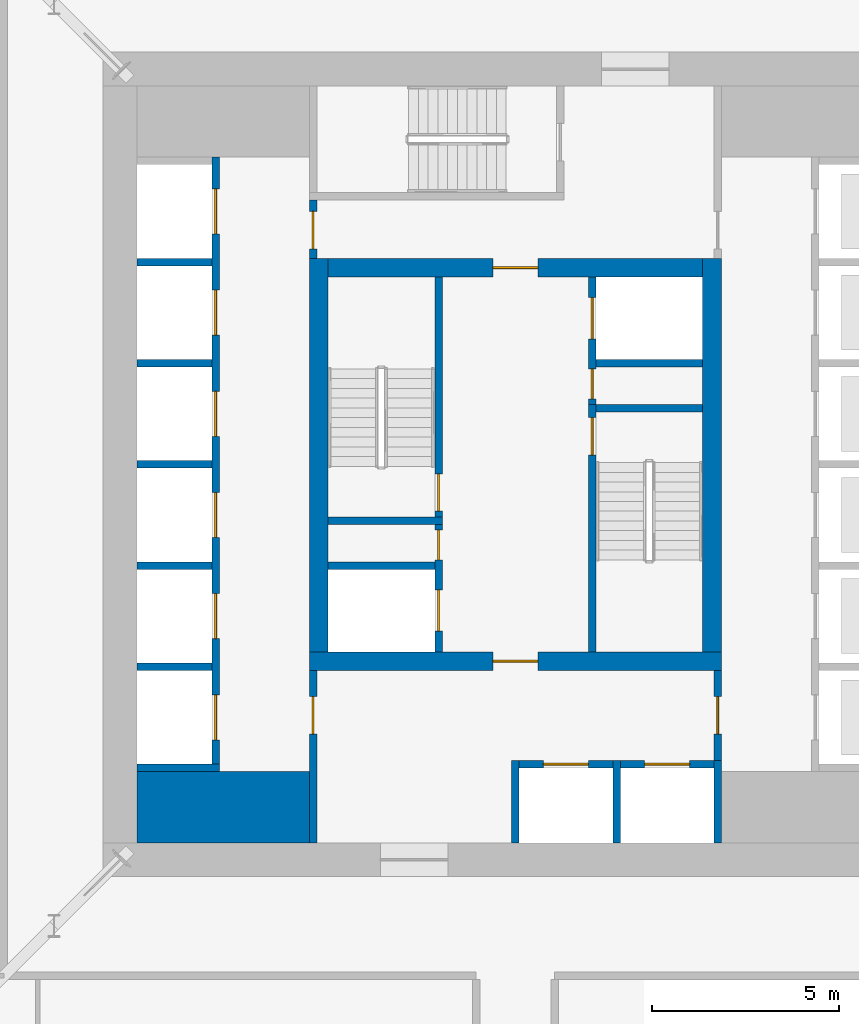
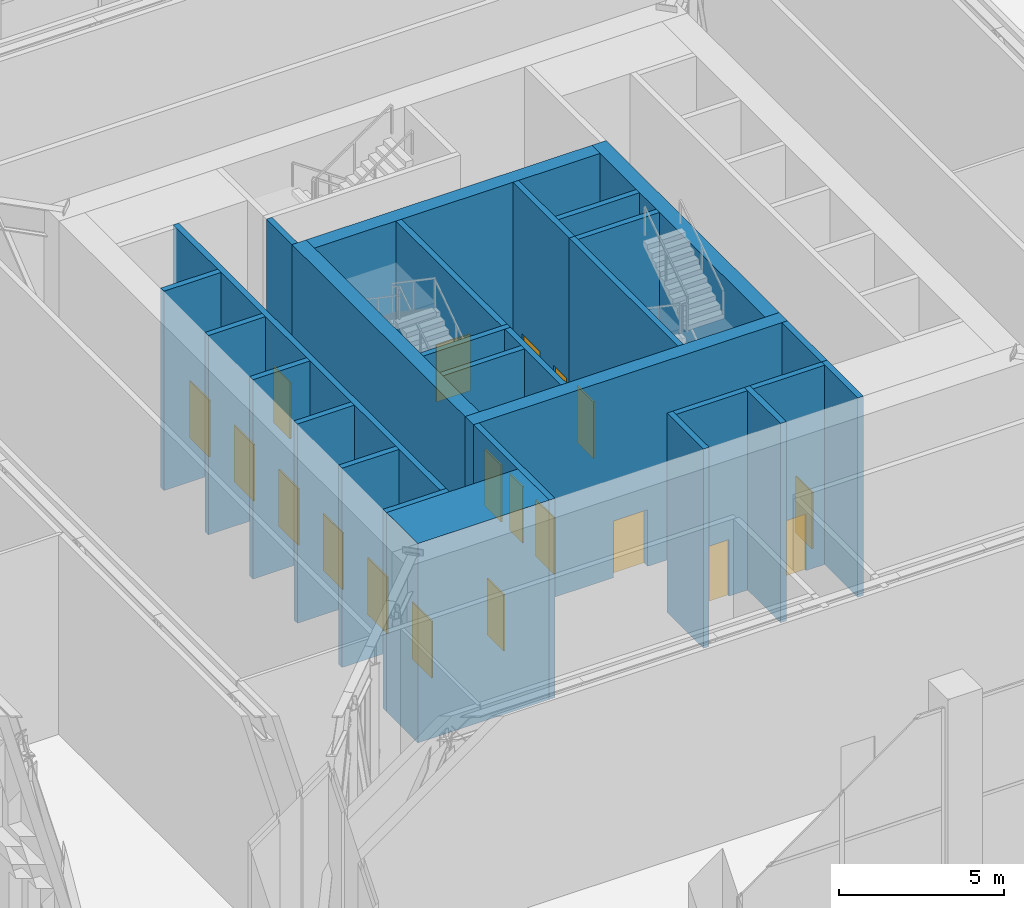
# One storey, part 16 of 21: 28 walls, 19 doors, 19 openings.
"""IFC4 building model written with IfcOpenShell, lengths in metres."""

from ifc_helpers import new_model, si_unit, direction, frame, frame_2d, origin, place, context, subcontext, project, spatial, rectangle, extrude, material, layer, layer_set, type_object, element, fill, save


model = new_model("IFC4")

# Units and contexts
model_context = context("Model", 3, precision=1e-05, world=origin(), true_north=direction((0.0, 1.0)))
body_context = subcontext(model_context, "Body", "Model", "MODEL_VIEW")
ifc_project = project(units=[si_unit("LENGTHUNIT", "METRE"), si_unit("AREAUNIT", "SQUARE_METRE"), si_unit("VOLUMEUNIT", "CUBIC_METRE"), si_unit("PLANEANGLEUNIT", "RADIAN"), si_unit("MASSUNIT", "GRAM", prefix="KILO")], contexts=[model_context])

# Site, building, storey
site_placement = place(None, origin())
site = spatial("IfcSite", under=ifc_project, at=site_placement, CompositionType="ELEMENT")
building_placement = place(site_placement, origin())
building = spatial("IfcBuilding", under=site, at=building_placement, Name="Khepri Terraces", CompositionType="ELEMENT")
storey_placement = place(building_placement, frame((0.0, 0.0, 126.0)))
storey = spatial("IfcBuildingStorey", under=building, at=storey_placement, Name="L30", CompositionType="ELEMENT", Elevation=126.0)

# Wall
ifc_material_1 = material(Name="Concrete C70/85", Category="concrete")
ifc_layer_1 = layer(ifc_material_1, 1.89990234375, Name="Concrete C70/85", Category="concrete")
ifc_layer_set_1 = layer_set([ifc_layer_1], Name="Concrete C70/85")
wall_type_1 = type_object("IfcWallType", Name="Core wall 1900 C70/85", PredefinedType="SHEAR", material=ifc_layer_set_1)
wall_1_placement = place(storey_placement, frame((-10.10009765625, -9.14990234375, 0.0), z_axis=(0.0, 0.0, 1.0), x_axis=(1.0, 0.0, 0.0)))
element("IfcWall", 1, at=wall_1_placement, inside=storey, type_object=wall_type_1, Name="Core wall PR01 L30", PredefinedType="SHEAR", context=body_context, shape_type="SweptSolid", body=[
    extrude(rectangle(XDim=4.60009765625, YDim=1.89990234375, at=frame_2d((2.300048828125, 0.0))), origin(), (0.0, 0.0, 1.0), 7.3798828125),
])

# Wall, opening, door
ifc_layer_2 = layer(ifc_material_1, 0.199951171875, Name="Concrete C70/85", Category="concrete")
ifc_layer_set_2 = layer_set([ifc_layer_2], Name="Concrete C70/85")
wall_type_2 = type_object("IfcWallType", Name="Core wall 200 C70/85", PredefinedType="SHEAR", material=ifc_layer_set_2)
wall_2_placement = place(storey_placement, frame((2.050048828125, -5.0, 0.0), z_axis=(0.0, 0.0, 1.0), x_axis=(0.0, 1.0, 0.0)))
wall_2 = element("IfcWall", 2, at=wall_2_placement, inside=storey, type_object=wall_type_2, Name="Core wall ST01 L30", PredefinedType="SHEAR", context=body_context, shape_type="SweptSolid", body=[
    extrude(rectangle(XDim=6.60009765625, YDim=0.199951171875, at=frame_2d((3.300048828125, 0.0))), origin(), (0.0, 0.0, 1.0), 7.3798828125),
])
opening_1_placement = place(wall_2_placement, frame((5.25, 0.0, 0.0)))
opening_1 = element("IfcOpeningElement", 3, at=opening_1_placement, cuts=wall_2, Name="Opening L30-C18", PredefinedType="OPENING", context=body_context, shape_type="SweptSolid", body=[
    extrude(rectangle(XDim=1.0, YDim=2.10009765625, at=frame_2d((0.5, 1.050048828125))), frame((0.0, 0.10986328125, 0.0), z_axis=(0.0, -1.0, 0.0), x_axis=(1.0, 0.0, 0.0)), (0.0, 0.0, 1.0), 0.219970703125),
])
ifc_material_2 = material(Name="Painted steel", Category="steel")
door_type_1 = type_object("IfcDoorType", Name="DR-CORE-STAIR-1000", OperationType="NOTDEFINED", PredefinedType="DOOR", material=ifc_material_2)
door_1_placement = place(opening_1_placement, frame((1.0, 0.0, 0.0), z_axis=(0.0, 0.0, 1.0), x_axis=(-1.0, 0.0, 0.0)))
door_1 = element("IfcDoor", 4, at=door_1_placement, inside=storey, type_object=door_type_1, Name="Stair door L30-C18", OperationType="SINGLE_SWING_LEFT", OverallHeight=2.10009765625, OverallWidth=1.0, PredefinedType="DOOR", context=body_context, shape_type="SweptSolid", body=[
    extrude(rectangle(XDim=1.0, YDim=2.10009765625, at=frame_2d((0.5, 1.050048828125))), frame((0.0, 0.02490234375, 0.0), z_axis=(0.0, -1.0, 0.0), x_axis=(1.0, 0.0, 0.0)), (0.0, 0.0, 1.0), 0.050048828125),
])
fill(opening_1, door_1)

# Wall
wall_3_placement = place(storey_placement, frame((-5.0, -1.5, 0.0), z_axis=(0.0, 0.0, 1.0), x_axis=(1.0, 0.0, 0.0)))
element("IfcWall", 5, at=wall_3_placement, inside=storey, type_object=wall_type_2, Name="Core wall ST02 L30", PredefinedType="SHEAR", context=body_context, shape_type="SweptSolid", body=[
    extrude(rectangle(XDim=3.050048828125, YDim=0.199951171875, at=frame_2d((1.52490234375, 0.0))), origin(), (0.0, 0.0, 1.0), 7.3798828125),
])

# Wall, opening, door
wall_4_placement = place(storey_placement, frame((-2.050048828125, -1.39990234375, 0.0), z_axis=(0.0, 0.0, 1.0), x_axis=(0.0, 1.0, 0.0)))
wall_4 = element("IfcWall", 6, at=wall_4_placement, inside=storey, type_object=wall_type_2, Name="Core wall ST03 L30", PredefinedType="SHEAR", context=body_context, shape_type="SweptSolid", body=[
    extrude(rectangle(XDim=6.39990234375, YDim=0.199951171875, at=frame_2d((3.199951171875, 0.0))), origin(), (0.0, 0.0, 1.0), 7.3798828125),
])
opening_2_placement = place(wall_4_placement, frame((0.14990234375, 0.0, 0.0)))
opening_2 = element("IfcOpeningElement", 7, at=opening_2_placement, cuts=wall_4, Name="Opening L30-C17", PredefinedType="OPENING", context=body_context, shape_type="SweptSolid", body=[
    extrude(rectangle(XDim=1.0, YDim=2.10009765625, at=frame_2d((0.5, 1.050048828125))), frame((0.0, 0.10986328125, 0.0), z_axis=(0.0, -1.0, 0.0), x_axis=(1.0, 0.0, 0.0)), (0.0, 0.0, 1.0), 0.219970703125),
])
door_2_placement = place(opening_2_placement, origin())
door_2 = element("IfcDoor", 8, at=door_2_placement, inside=storey, type_object=door_type_1, Name="Stair door L30-C17", OperationType="SINGLE_SWING_LEFT", OverallHeight=2.10009765625, OverallWidth=1.0, PredefinedType="DOOR", context=body_context, shape_type="SweptSolid", body=[
    extrude(rectangle(XDim=1.0, YDim=2.10009765625, at=frame_2d((0.5, 1.050048828125))), frame((0.0, 0.02490234375, 0.0), z_axis=(0.0, -1.0, 0.0), x_axis=(1.0, 0.0, 0.0)), (0.0, 0.0, 1.0), 0.050048828125),
])
fill(opening_2, door_2)

# Walls
wall_5_placement = place(storey_placement, frame((2.14990234375, 1.5, 0.0), z_axis=(0.0, 0.0, 1.0), x_axis=(1.0, 0.0, 0.0)))
element("IfcWall", 9, at=wall_5_placement, inside=storey, type_object=wall_type_2, Name="Core wall ST04 L30", PredefinedType="SHEAR", context=body_context, shape_type="SweptSolid", body=[
    extrude(rectangle(XDim=2.85009765625, YDim=0.199951171875, at=frame_2d((1.425048828125, 0.0))), origin(), (0.0, 0.0, 1.0), 7.3798828125),
])
for number, where, z_axis, x_axis, name in (
    (10, (0.0, -10.10009765625, 0.0), (0.0, 0.0, 1.0), (0.0, 1.0, 0.0), "Core wall SH01 L30"),
    (11, (2.699951171875, -10.10009765625, 0.0), (0.0, 0.0, 1.0), (0.0, 1.0, 0.0), "Core wall SH02 L30"),
    (12, (5.39990234375, -10.10009765625, 0.0), (0.0, 0.0, 1.0), (0.0, 1.0, 0.0), "Core wall SH03 L30"),
    (13, (-10.10009765625, -8.10009765625, 0.0), (0.0, 0.0, 1.0), (1.0, 0.0, 0.0), "Core wall SH04 L30"),
):
    element("IfcWall", number, at=place(storey_placement, frame(where, z_axis=z_axis, x_axis=x_axis)), inside=storey, type_object=wall_type_2, Name=name, PredefinedType="SHEAR", context=body_context, shape_type="SweptSolid", body=[
        extrude(rectangle(XDim=2.2001953125, YDim=0.199951171875, at=frame_2d((1.10009765625, 0.0))), origin(), (0.0, 0.0, 1.0), 7.3798828125),
    ])

# Wall, opening, door
wall_6_placement = place(storey_placement, frame((0.10009765625, -8.0, 0.0), z_axis=(0.0, 0.0, 1.0), x_axis=(1.0, 0.0, 0.0)))
wall_6 = element("IfcWall", 14, at=wall_6_placement, inside=storey, type_object=wall_type_2, Name="Core wall SH07 L30", PredefinedType="SHEAR", context=body_context, shape_type="SweptSolid", body=[
    extrude(rectangle(XDim=2.5, YDim=0.199951171875, at=frame_2d((1.25, 0.0))), origin(), (0.0, 0.0, 1.0), 7.3798828125),
])
opening_3_placement = place(wall_6_placement, frame((0.64990234375, 0.0, 0.0)))
opening_3 = element("IfcOpeningElement", 15, at=opening_3_placement, cuts=wall_6, Name="Opening L30-C13", PredefinedType="OPENING", context=body_context, shape_type="SweptSolid", body=[
    extrude(rectangle(XDim=1.199951171875, YDim=2.10009765625, at=frame_2d((0.60009765625, 1.050048828125))), frame((0.0, 0.10986328125, 0.0), z_axis=(0.0, -1.0, 0.0), x_axis=(1.0, 0.0, 0.0)), (0.0, 0.0, 1.0), 0.219970703125),
])
ifc_material_3 = material(Name="Stainless steel 304", Category="steel")
door_type_2 = type_object("IfcDoorType", Name="DR-CORE-LANDING-1200", OperationType="NOTDEFINED", PredefinedType="DOOR", material=ifc_material_3)
door_3_placement = place(opening_3_placement, origin())
door_3 = element("IfcDoor", 16, at=door_3_placement, inside=storey, type_object=door_type_2, Name="Lift landing door L30-C13", OperationType="SLIDING_TO_LEFT", OverallHeight=2.10009765625, OverallWidth=1.199951171875, PredefinedType="DOOR", context=body_context, shape_type="SweptSolid", body=[
    extrude(rectangle(XDim=1.199951171875, YDim=2.10009765625, at=frame_2d((0.60009765625, 1.050048828125))), frame((0.0, 0.02490234375, 0.0), z_axis=(0.0, -1.0, 0.0), x_axis=(1.0, 0.0, 0.0)), (0.0, 0.0, 1.0), 0.050048828125),
])
fill(opening_3, door_3)

wall_7_placement = place(storey_placement, frame((2.800048828125, -8.0, 0.0), z_axis=(0.0, 0.0, 1.0), x_axis=(1.0, 0.0, 0.0)))
wall_7 = element("IfcWall", 17, at=wall_7_placement, inside=storey, type_object=wall_type_2, Name="Core wall SH08 L30", PredefinedType="SHEAR", context=body_context, shape_type="SweptSolid", body=[
    extrude(rectangle(XDim=2.5, YDim=0.199951171875, at=frame_2d((1.25, 0.0))), origin(), (0.0, 0.0, 1.0), 7.3798828125),
])
opening_4_placement = place(wall_7_placement, frame((0.64990234375, 0.0, 0.0)))
opening_4 = element("IfcOpeningElement", 18, at=opening_4_placement, cuts=wall_7, Name="Opening L30-C14", PredefinedType="OPENING", context=body_context, shape_type="SweptSolid", body=[
    extrude(rectangle(XDim=1.199951171875, YDim=2.10009765625, at=frame_2d((0.60009765625, 1.050048828125))), frame((0.0, 0.10986328125, 0.0), z_axis=(0.0, -1.0, 0.0), x_axis=(1.0, 0.0, 0.0)), (0.0, 0.0, 1.0), 0.219970703125),
])
door_4_placement = place(opening_4_placement, origin())
door_4 = element("IfcDoor", 19, at=door_4_placement, inside=storey, type_object=door_type_2, Name="Lift landing door L30-C14", OperationType="SLIDING_TO_LEFT", OverallHeight=2.10009765625, OverallWidth=1.199951171875, PredefinedType="DOOR", context=body_context, shape_type="SweptSolid", body=[
    extrude(rectangle(XDim=1.199951171875, YDim=2.10009765625, at=frame_2d((0.60009765625, 1.050048828125))), frame((0.0, 0.02490234375, 0.0), z_axis=(0.0, -1.0, 0.0), x_axis=(1.0, 0.0, 0.0)), (0.0, 0.0, 1.0), 0.050048828125),
])
fill(opening_4, door_4)

# Wall, openings, doors
wall_8_placement = place(storey_placement, frame((-8.0, -8.0, 0.0), z_axis=(0.0, 0.0, 1.0), x_axis=(0.0, 1.0, 0.0)))
wall_8 = element("IfcWall", 20, at=wall_8_placement, inside=storey, type_object=wall_type_2, Name="Core wall SH09 L30", PredefinedType="SHEAR", context=body_context, shape_type="SweptSolid", body=[
    extrude(rectangle(XDim=16.199951171875, YDim=0.199951171875, at=frame_2d((8.10009765625, 0.0))), origin(), (0.0, 0.0, 1.0), 7.3798828125),
])
opening_5_placement = place(wall_8_placement, frame((0.64990234375, 0.0, 0.0)))
opening_5 = element("IfcOpeningElement", 21, at=opening_5_placement, cuts=wall_8, Name="Opening L30-C01", PredefinedType="OPENING", context=body_context, shape_type="SweptSolid", body=[
    extrude(rectangle(XDim=1.199951171875, YDim=2.10009765625, at=frame_2d((0.60009765625, 1.050048828125))), frame((0.0, 0.10986328125, 0.0), z_axis=(0.0, -1.0, 0.0), x_axis=(1.0, 0.0, 0.0)), (0.0, 0.0, 1.0), 0.219970703125),
])
opening_6_placement = place(wall_8_placement, frame((3.35009765625, 0.0, 0.0)))
opening_6 = element("IfcOpeningElement", 22, at=opening_6_placement, cuts=wall_8, Name="Opening L30-C03", PredefinedType="OPENING", context=body_context, shape_type="SweptSolid", body=[
    extrude(rectangle(XDim=1.199951171875, YDim=2.10009765625, at=frame_2d((0.60009765625, 1.050048828125))), frame((0.0, 0.10986328125, 0.0), z_axis=(0.0, -1.0, 0.0), x_axis=(1.0, 0.0, 0.0)), (0.0, 0.0, 1.0), 0.219970703125),
])
opening_7_placement = place(wall_8_placement, frame((6.050048828125, 0.0, 0.0)))
opening_7 = element("IfcOpeningElement", 23, at=opening_7_placement, cuts=wall_8, Name="Opening L30-C05", PredefinedType="OPENING", context=body_context, shape_type="SweptSolid", body=[
    extrude(rectangle(XDim=1.199951171875, YDim=2.10009765625, at=frame_2d((0.60009765625, 1.050048828125))), frame((0.0, 0.10986328125, 0.0), z_axis=(0.0, -1.0, 0.0), x_axis=(1.0, 0.0, 0.0)), (0.0, 0.0, 1.0), 0.219970703125),
])
opening_8_placement = place(wall_8_placement, frame((8.75, 0.0, 0.0)))
opening_8 = element("IfcOpeningElement", 24, at=opening_8_placement, cuts=wall_8, Name="Opening L30-C07", PredefinedType="OPENING", context=body_context, shape_type="SweptSolid", body=[
    extrude(rectangle(XDim=1.199951171875, YDim=2.10009765625, at=frame_2d((0.60009765625, 1.050048828125))), frame((0.0, 0.10986328125, 0.0), z_axis=(0.0, -1.0, 0.0), x_axis=(1.0, 0.0, 0.0)), (0.0, 0.0, 1.0), 0.219970703125),
])
opening_9_placement = place(wall_8_placement, frame((11.449951171875, 0.0, 0.0)))
opening_9 = element("IfcOpeningElement", 25, at=opening_9_placement, cuts=wall_8, Name="Opening L30-C09", PredefinedType="OPENING", context=body_context, shape_type="SweptSolid", body=[
    extrude(rectangle(XDim=1.199951171875, YDim=2.10009765625, at=frame_2d((0.60009765625, 1.050048828125))), frame((0.0, 0.10986328125, 0.0), z_axis=(0.0, -1.0, 0.0), x_axis=(1.0, 0.0, 0.0)), (0.0, 0.0, 1.0), 0.219970703125),
])
opening_10_placement = place(wall_8_placement, frame((14.14990234375, 0.0, 0.0)))
opening_10 = element("IfcOpeningElement", 26, at=opening_10_placement, cuts=wall_8, Name="Opening L30-C11", PredefinedType="OPENING", context=body_context, shape_type="SweptSolid", body=[
    extrude(rectangle(XDim=1.199951171875, YDim=2.10009765625, at=frame_2d((0.60009765625, 1.050048828125))), frame((0.0, 0.10986328125, 0.0), z_axis=(0.0, -1.0, 0.0), x_axis=(1.0, 0.0, 0.0)), (0.0, 0.0, 1.0), 0.219970703125),
])
door_5_placement = place(opening_5_placement, origin())
door_5 = element("IfcDoor", 27, at=door_5_placement, inside=storey, type_object=door_type_2, Name="Lift landing door L30-C01", OperationType="SLIDING_TO_LEFT", OverallHeight=2.10009765625, OverallWidth=1.199951171875, PredefinedType="DOOR", context=body_context, shape_type="SweptSolid", body=[
    extrude(rectangle(XDim=1.199951171875, YDim=2.10009765625, at=frame_2d((0.60009765625, 1.050048828125))), frame((0.0, 0.02490234375, 0.0), z_axis=(0.0, -1.0, 0.0), x_axis=(1.0, 0.0, 0.0)), (0.0, 0.0, 1.0), 0.050048828125),
])
fill(opening_5, door_5)
door_6_placement = place(opening_6_placement, origin())
door_6 = element("IfcDoor", 28, at=door_6_placement, inside=storey, type_object=door_type_2, Name="Lift landing door L30-C03", OperationType="SLIDING_TO_LEFT", OverallHeight=2.10009765625, OverallWidth=1.199951171875, PredefinedType="DOOR", context=body_context, shape_type="SweptSolid", body=[
    extrude(rectangle(XDim=1.199951171875, YDim=2.10009765625, at=frame_2d((0.60009765625, 1.050048828125))), frame((0.0, 0.02490234375, 0.0), z_axis=(0.0, -1.0, 0.0), x_axis=(1.0, 0.0, 0.0)), (0.0, 0.0, 1.0), 0.050048828125),
])
fill(opening_6, door_6)
door_7_placement = place(opening_7_placement, origin())
door_7 = element("IfcDoor", 29, at=door_7_placement, inside=storey, type_object=door_type_2, Name="Lift landing door L30-C05", OperationType="SLIDING_TO_LEFT", OverallHeight=2.10009765625, OverallWidth=1.199951171875, PredefinedType="DOOR", context=body_context, shape_type="SweptSolid", body=[
    extrude(rectangle(XDim=1.199951171875, YDim=2.10009765625, at=frame_2d((0.60009765625, 1.050048828125))), frame((0.0, 0.02490234375, 0.0), z_axis=(0.0, -1.0, 0.0), x_axis=(1.0, 0.0, 0.0)), (0.0, 0.0, 1.0), 0.050048828125),
])
fill(opening_7, door_7)
door_8_placement = place(opening_8_placement, origin())
door_8 = element("IfcDoor", 30, at=door_8_placement, inside=storey, type_object=door_type_2, Name="Lift landing door L30-C07", OperationType="SLIDING_TO_LEFT", OverallHeight=2.10009765625, OverallWidth=1.199951171875, PredefinedType="DOOR", context=body_context, shape_type="SweptSolid", body=[
    extrude(rectangle(XDim=1.199951171875, YDim=2.10009765625, at=frame_2d((0.60009765625, 1.050048828125))), frame((0.0, 0.02490234375, 0.0), z_axis=(0.0, -1.0, 0.0), x_axis=(1.0, 0.0, 0.0)), (0.0, 0.0, 1.0), 0.050048828125),
])
fill(opening_8, door_8)
door_9_placement = place(opening_9_placement, origin())
door_9 = element("IfcDoor", 31, at=door_9_placement, inside=storey, type_object=door_type_2, Name="Lift landing door L30-C09", OperationType="SLIDING_TO_LEFT", OverallHeight=2.10009765625, OverallWidth=1.199951171875, PredefinedType="DOOR", context=body_context, shape_type="SweptSolid", body=[
    extrude(rectangle(XDim=1.199951171875, YDim=2.10009765625, at=frame_2d((0.60009765625, 1.050048828125))), frame((0.0, 0.02490234375, 0.0), z_axis=(0.0, -1.0, 0.0), x_axis=(1.0, 0.0, 0.0)), (0.0, 0.0, 1.0), 0.050048828125),
])
fill(opening_9, door_9)
door_10_placement = place(opening_10_placement, origin())
door_10 = element("IfcDoor", 32, at=door_10_placement, inside=storey, type_object=door_type_2, Name="Lift landing door L30-C11", OperationType="SLIDING_TO_LEFT", OverallHeight=2.10009765625, OverallWidth=1.199951171875, PredefinedType="DOOR", context=body_context, shape_type="SweptSolid", body=[
    extrude(rectangle(XDim=1.199951171875, YDim=2.10009765625, at=frame_2d((0.60009765625, 1.050048828125))), frame((0.0, 0.02490234375, 0.0), z_axis=(0.0, -1.0, 0.0), x_axis=(1.0, 0.0, 0.0)), (0.0, 0.0, 1.0), 0.050048828125),
])
fill(opening_10, door_10)

# Wall
wall_9_placement = place(storey_placement, frame((-10.10009765625, -5.39990234375, 0.0), z_axis=(0.0, 0.0, 1.0), x_axis=(1.0, 0.0, 0.0)))
element("IfcWall", 33, at=wall_9_placement, inside=storey, type_object=wall_type_2, Name="Core wall SH10 L30", PredefinedType="SHEAR", context=body_context, shape_type="SweptSolid", body=[
    extrude(rectangle(XDim=2.0, YDim=0.199951171875, at=frame_2d((1.0, 0.0))), origin(), (0.0, 0.0, 1.0), 7.3798828125),
])

# Wall, openings, doors
wall_10_placement = place(storey_placement, frame((-2.050048828125, -5.0, 0.0), z_axis=(0.0, 0.0, 1.0), x_axis=(0.0, 1.0, 0.0)))
wall_10 = element("IfcWall", 34, at=wall_10_placement, inside=storey, type_object=wall_type_2, Name="Core wall SH12 L30", PredefinedType="SHEAR", context=body_context, shape_type="SweptSolid", body=[
    extrude(rectangle(XDim=3.39990234375, YDim=0.199951171875, at=frame_2d((1.699951171875, 0.0))), origin(), (0.0, 0.0, 1.0), 7.3798828125),
])
opening_11_placement = place(wall_10_placement, frame((0.550048828125, 0.0, 0.0)))
opening_11 = element("IfcOpeningElement", 35, at=opening_11_placement, cuts=wall_10, Name="Opening L30-C16", PredefinedType="OPENING", context=body_context, shape_type="SweptSolid", body=[
    extrude(rectangle(XDim=1.10009765625, YDim=2.10009765625, at=frame_2d((0.550048828125, 1.050048828125))), frame((0.0, 0.10986328125, 0.0), z_axis=(0.0, -1.0, 0.0), x_axis=(1.0, 0.0, 0.0)), (0.0, 0.0, 1.0), 0.219970703125),
])
opening_12_placement = place(wall_10_placement, frame((2.449951171875, 0.0, 0.0)))
opening_12 = element("IfcOpeningElement", 36, at=opening_12_placement, cuts=wall_10, Name="Opening L30-C20", PredefinedType="OPENING", context=body_context, shape_type="SweptSolid", body=[
    extrude(rectangle(XDim=0.800048828125, YDim=2.10009765625, at=frame_2d((0.39990234375, 1.050048828125))), frame((0.0, 0.10986328125, 0.0), z_axis=(0.0, -1.0, 0.0), x_axis=(1.0, 0.0, 0.0)), (0.0, 0.0, 1.0), 0.219970703125),
])
door_type_3 = type_object("IfcDoorType", Name="DR-CORE-FF-LANDING-1100", OperationType="NOTDEFINED", PredefinedType="DOOR", material=ifc_material_3)
door_11_placement = place(opening_11_placement, origin())
door_11 = element("IfcDoor", 37, at=door_11_placement, inside=storey, type_object=door_type_3, Name="Firefighting lift landing door L30-C16", OperationType="SLIDING_TO_LEFT", OverallHeight=2.10009765625, OverallWidth=1.10009765625, PredefinedType="DOOR", context=body_context, shape_type="SweptSolid", body=[
    extrude(rectangle(XDim=1.10009765625, YDim=2.10009765625, at=frame_2d((0.550048828125, 1.050048828125))), frame((0.0, 0.02490234375, 0.0), z_axis=(0.0, -1.0, 0.0), x_axis=(1.0, 0.0, 0.0)), (0.0, 0.0, 1.0), 0.050048828125),
])
fill(opening_11, door_11)
door_type_4 = type_object("IfcDoorType", Name="DR-CORE-RISER-800", OperationType="NOTDEFINED", PredefinedType="DOOR", material=ifc_material_2)
door_12_placement = place(opening_12_placement, origin())
door_12 = element("IfcDoor", 38, at=door_12_placement, inside=storey, type_object=door_type_4, Name="Riser door L30-C20", OperationType="SINGLE_SWING_RIGHT", OverallHeight=2.10009765625, OverallWidth=0.800048828125, PredefinedType="DOOR", context=body_context, shape_type="SweptSolid", body=[
    extrude(rectangle(XDim=0.800048828125, YDim=2.10009765625, at=frame_2d((0.39990234375, 1.050048828125))), frame((0.0, 0.02490234375, 0.0), z_axis=(0.0, -1.0, 0.0), x_axis=(1.0, 0.0, 0.0)), (0.0, 0.0, 1.0), 0.050048828125),
])
fill(opening_12, door_12)

# Walls
wall_11_placement = place(storey_placement, frame((-10.10009765625, -2.699951171875, 0.0), z_axis=(0.0, 0.0, 1.0), x_axis=(1.0, 0.0, 0.0)))
element("IfcWall", 39, at=wall_11_placement, inside=storey, type_object=wall_type_2, Name="Core wall SH13 L30", PredefinedType="SHEAR", context=body_context, shape_type="SweptSolid", body=[
    extrude(rectangle(XDim=2.0, YDim=0.199951171875, at=frame_2d((1.0, 0.0))), origin(), (0.0, 0.0, 1.0), 7.3798828125),
])
wall_12_placement = place(storey_placement, frame((-5.0, -2.699951171875, 0.0), z_axis=(0.0, 0.0, 1.0), x_axis=(1.0, 0.0, 0.0)))
element("IfcWall", 40, at=wall_12_placement, inside=storey, type_object=wall_type_2, Name="Core wall SH14 L30", PredefinedType="SHEAR", context=body_context, shape_type="SweptSolid", body=[
    extrude(rectangle(XDim=2.85009765625, YDim=0.199951171875, at=frame_2d((1.425048828125, 0.0))), origin(), (0.0, 0.0, 1.0), 7.3798828125),
])
wall_13_placement = place(storey_placement, frame((-10.10009765625, 0.0, 0.0), z_axis=(0.0, 0.0, 1.0), x_axis=(1.0, 0.0, 0.0)))
element("IfcWall", 41, at=wall_13_placement, inside=storey, type_object=wall_type_2, Name="Core wall SH16 L30", PredefinedType="SHEAR", context=body_context, shape_type="SweptSolid", body=[
    extrude(rectangle(XDim=2.0, YDim=0.199951171875, at=frame_2d((1.0, 0.0))), origin(), (0.0, 0.0, 1.0), 7.3798828125),
])

# Wall, openings, doors
wall_14_placement = place(storey_placement, frame((2.050048828125, 1.60009765625, 0.0), z_axis=(0.0, 0.0, 1.0), x_axis=(0.0, 1.0, 0.0)))
wall_14 = element("IfcWall", 42, at=wall_14_placement, inside=storey, type_object=wall_type_2, Name="Core wall SH18 L30", PredefinedType="SHEAR", context=body_context, shape_type="SweptSolid", body=[
    extrude(rectangle(XDim=3.39990234375, YDim=0.199951171875, at=frame_2d((1.699951171875, 0.0))), origin(), (0.0, 0.0, 1.0), 7.3798828125),
])
opening_13_placement = place(wall_14_placement, frame((1.75, 0.0, 0.0)))
opening_13 = element("IfcOpeningElement", 43, at=opening_13_placement, cuts=wall_14, Name="Opening L30-C15", PredefinedType="OPENING", context=body_context, shape_type="SweptSolid", body=[
    extrude(rectangle(XDim=1.10009765625, YDim=2.10009765625, at=frame_2d((0.550048828125, 1.050048828125))), frame((0.0, 0.10986328125, 0.0), z_axis=(0.0, -1.0, 0.0), x_axis=(1.0, 0.0, 0.0)), (0.0, 0.0, 1.0), 0.219970703125),
])
opening_14_placement = place(wall_14_placement, frame((0.14990234375, 0.0, 0.0)))
opening_14 = element("IfcOpeningElement", 44, at=opening_14_placement, cuts=wall_14, Name="Opening L30-C19", PredefinedType="OPENING", context=body_context, shape_type="SweptSolid", body=[
    extrude(rectangle(XDim=0.800048828125, YDim=2.10009765625, at=frame_2d((0.39990234375, 1.050048828125))), frame((0.0, 0.10986328125, 0.0), z_axis=(0.0, -1.0, 0.0), x_axis=(1.0, 0.0, 0.0)), (0.0, 0.0, 1.0), 0.219970703125),
])
door_13_placement = place(opening_13_placement, origin())
door_13 = element("IfcDoor", 45, at=door_13_placement, inside=storey, type_object=door_type_3, Name="Firefighting lift landing door L30-C15", OperationType="SLIDING_TO_LEFT", OverallHeight=2.10009765625, OverallWidth=1.10009765625, PredefinedType="DOOR", context=body_context, shape_type="SweptSolid", body=[
    extrude(rectangle(XDim=1.10009765625, YDim=2.10009765625, at=frame_2d((0.550048828125, 1.050048828125))), frame((0.0, 0.02490234375, 0.0), z_axis=(0.0, -1.0, 0.0), x_axis=(1.0, 0.0, 0.0)), (0.0, 0.0, 1.0), 0.050048828125),
])
fill(opening_13, door_13)
door_14_placement = place(opening_14_placement, frame((0.800048828125, 0.0, 0.0), z_axis=(0.0, 0.0, 1.0), x_axis=(-1.0, 0.0, 0.0)))
door_14 = element("IfcDoor", 46, at=door_14_placement, inside=storey, type_object=door_type_4, Name="Riser door L30-C19", OperationType="SINGLE_SWING_RIGHT", OverallHeight=2.10009765625, OverallWidth=0.800048828125, PredefinedType="DOOR", context=body_context, shape_type="SweptSolid", body=[
    extrude(rectangle(XDim=0.800048828125, YDim=2.10009765625, at=frame_2d((0.39990234375, 1.050048828125))), frame((0.0, 0.02490234375, 0.0), z_axis=(0.0, -1.0, 0.0), x_axis=(1.0, 0.0, 0.0)), (0.0, 0.0, 1.0), 0.050048828125),
])
fill(opening_14, door_14)

# Walls
wall_15_placement = place(storey_placement, frame((-10.10009765625, 2.699951171875, 0.0), z_axis=(0.0, 0.0, 1.0), x_axis=(1.0, 0.0, 0.0)))
element("IfcWall", 47, at=wall_15_placement, inside=storey, type_object=wall_type_2, Name="Core wall SH19 L30", PredefinedType="SHEAR", context=body_context, shape_type="SweptSolid", body=[
    extrude(rectangle(XDim=2.0, YDim=0.199951171875, at=frame_2d((1.0, 0.0))), origin(), (0.0, 0.0, 1.0), 7.3798828125),
])
wall_16_placement = place(storey_placement, frame((2.14990234375, 2.699951171875, 0.0), z_axis=(0.0, 0.0, 1.0), x_axis=(1.0, 0.0, 0.0)))
element("IfcWall", 48, at=wall_16_placement, inside=storey, type_object=wall_type_2, Name="Core wall SH20 L30", PredefinedType="SHEAR", context=body_context, shape_type="SweptSolid", body=[
    extrude(rectangle(XDim=2.85009765625, YDim=0.199951171875, at=frame_2d((1.425048828125, 0.0))), origin(), (0.0, 0.0, 1.0), 7.3798828125),
])
wall_17_placement = place(storey_placement, frame((-10.10009765625, 5.39990234375, 0.0), z_axis=(0.0, 0.0, 1.0), x_axis=(1.0, 0.0, 0.0)))
element("IfcWall", 49, at=wall_17_placement, inside=storey, type_object=wall_type_2, Name="Core wall SH22 L30", PredefinedType="SHEAR", context=body_context, shape_type="SweptSolid", body=[
    extrude(rectangle(XDim=2.0, YDim=0.199951171875, at=frame_2d((1.0, 0.0))), origin(), (0.0, 0.0, 1.0), 7.3798828125),
])

# Wall, opening, door
ifc_layer_3 = layer(ifc_material_1, 0.5, Name="Concrete C70/85", Category="concrete")
ifc_layer_set_3 = layer_set([ifc_layer_3], Name="Concrete C70/85")
wall_type_3 = type_object("IfcWallType", Name="Core wall 500 C70/85", PredefinedType="SHEAR", material=ifc_layer_set_3)
wall_18_placement = place(storey_placement, frame((-5.5, -5.25, 0.0), z_axis=(0.0, 0.0, 1.0), x_axis=(1.0, 0.0, 0.0)))
wall_18 = element("IfcWall", 50, at=wall_18_placement, inside=storey, type_object=wall_type_3, Name="Core wall BX01 L30", PredefinedType="SHEAR", context=body_context, shape_type="SweptSolid", body=[
    extrude(rectangle(XDim=11.0, YDim=0.5, at=frame_2d((5.5, 0.0))), origin(), (0.0, 0.0, 1.0), 7.3798828125),
])
opening_15_placement = place(wall_18_placement, frame((4.89990234375, 0.0, 0.0)))
opening_15 = element("IfcOpeningElement", 51, at=opening_15_placement, cuts=wall_18, Name="Opening L30-C22", PredefinedType="OPENING", context=body_context, shape_type="SweptSolid", body=[
    extrude(rectangle(XDim=1.199951171875, YDim=2.10009765625, at=frame_2d((0.60009765625, 1.050048828125))), frame((0.0, 0.260009765625, 0.0), z_axis=(0.0, -1.0, 0.0), x_axis=(1.0, 0.0, 0.0)), (0.0, 0.0, 1.0), 0.52001953125),
])
door_type_5 = type_object("IfcDoorType", Name="DR-CORE-FF-LOBBY-1200", OperationType="NOTDEFINED", PredefinedType="DOOR", material=ifc_material_2)
door_15_placement = place(opening_15_placement, origin())
door_15 = element("IfcDoor", 52, at=door_15_placement, inside=storey, type_object=door_type_5, Name="Firefighting lobby door L30-C22", OperationType="SINGLE_SWING_RIGHT", OverallHeight=2.10009765625, OverallWidth=1.199951171875, PredefinedType="DOOR", context=body_context, shape_type="SweptSolid", body=[
    extrude(rectangle(XDim=1.199951171875, YDim=2.10009765625, at=frame_2d((0.60009765625, 1.050048828125))), frame((0.0, 0.02490234375, 0.0), z_axis=(0.0, -1.0, 0.0), x_axis=(1.0, 0.0, 0.0)), (0.0, 0.0, 1.0), 0.050048828125),
])
fill(opening_15, door_15)

# Walls
for number, where, z_axis, x_axis, name in (
    (53, (-5.25, -5.0, 0.0), (0.0, 0.0, 1.0), (0.0, 1.0, 0.0), "Core wall BX02 L30"),
    (54, (5.25, -5.0, 0.0), (0.0, 0.0, 1.0), (0.0, 1.0, 0.0), "Core wall BX03 L30"),
):
    element("IfcWall", number, at=place(storey_placement, frame(where, z_axis=z_axis, x_axis=x_axis)), inside=storey, type_object=wall_type_3, Name=name, PredefinedType="SHEAR", context=body_context, shape_type="SweptSolid", body=[
        extrude(rectangle(XDim=10.5, YDim=0.5, at=frame_2d((5.25, 0.0))), origin(), (0.0, 0.0, 1.0), 7.3798828125),
    ])

# Wall, opening, door
wall_19_placement = place(storey_placement, frame((-5.0, 5.25, 0.0), z_axis=(0.0, 0.0, 1.0), x_axis=(1.0, 0.0, 0.0)))
wall_19 = element("IfcWall", 55, at=wall_19_placement, inside=storey, type_object=wall_type_3, Name="Core wall BX04 L30", PredefinedType="SHEAR", context=body_context, shape_type="SweptSolid", body=[
    extrude(rectangle(XDim=10.0, YDim=0.5, at=frame_2d((5.0, 0.0))), origin(), (0.0, 0.0, 1.0), 7.3798828125),
])
opening_16_placement = place(wall_19_placement, frame((4.39990234375, 0.0, 0.0)))
opening_16 = element("IfcOpeningElement", 56, at=opening_16_placement, cuts=wall_19, Name="Opening L30-C21", PredefinedType="OPENING", context=body_context, shape_type="SweptSolid", body=[
    extrude(rectangle(XDim=1.199951171875, YDim=2.10009765625, at=frame_2d((0.60009765625, 1.050048828125))), frame((0.0, 0.260009765625, 0.0), z_axis=(0.0, -1.0, 0.0), x_axis=(1.0, 0.0, 0.0)), (0.0, 0.0, 1.0), 0.52001953125),
])
door_16_placement = place(opening_16_placement, frame((1.199951171875, 0.0, 0.0), z_axis=(0.0, 0.0, 1.0), x_axis=(-1.0, 0.0, 0.0)))
door_16 = element("IfcDoor", 57, at=door_16_placement, inside=storey, type_object=door_type_5, Name="Firefighting lobby door L30-C21", OperationType="SINGLE_SWING_LEFT", OverallHeight=2.10009765625, OverallWidth=1.199951171875, PredefinedType="DOOR", context=body_context, shape_type="SweptSolid", body=[
    extrude(rectangle(XDim=1.199951171875, YDim=2.10009765625, at=frame_2d((0.60009765625, 1.050048828125))), frame((0.0, 0.02490234375, 0.0), z_axis=(0.0, -1.0, 0.0), x_axis=(1.0, 0.0, 0.0)), (0.0, 0.0, 1.0), 0.050048828125),
])
fill(opening_16, door_16)

ifc_material_4 = material(Name="Fire-rated gypsum board partition")
ifc_layer_4 = layer(ifc_material_4, 0.199951171875, Name="Fire-rated gypsum board partition")
ifc_layer_set_4 = layer_set([ifc_layer_4], Name="Fire-rated gypsum board partition")
wall_type_4 = type_object("IfcWallType", Name="WL-CORE-PART-200", PredefinedType="PARTITIONING", material=ifc_layer_set_4)
wall_20_placement = place(storey_placement, frame((-5.39990234375, -10.10009765625, 0.0), z_axis=(0.0, 0.0, 1.0), x_axis=(0.0, 1.0, 0.0)))
wall_20 = element("IfcWall", 58, at=wall_20_placement, inside=storey, type_object=wall_type_4, Name="Core partition PT01 L30", PredefinedType="PARTITIONING", context=body_context, shape_type="SweptSolid", body=[
    extrude(rectangle(XDim=4.60009765625, YDim=0.199951171875, at=frame_2d((2.300048828125, 0.0))), origin(), (0.0, 0.0, 1.0), 7.3798828125),
])
opening_17_placement = place(wall_20_placement, frame((2.89990234375, 0.0, 0.0)))
opening_17 = element("IfcOpeningElement", 59, at=opening_17_placement, cuts=wall_20, Name="Opening L30-C26", PredefinedType="OPENING", context=body_context, shape_type="SweptSolid", body=[
    extrude(rectangle(XDim=1.0, YDim=2.10009765625, at=frame_2d((0.5, 1.050048828125))), frame((0.0, 0.10986328125, 0.0), z_axis=(0.0, -1.0, 0.0), x_axis=(1.0, 0.0, 0.0)), (0.0, 0.0, 1.0), 0.219970703125),
])
door_type_6 = type_object("IfcDoorType", Name="DR-CORE-LOBBY-1000", OperationType="NOTDEFINED", PredefinedType="DOOR", material=ifc_material_2)
door_17_placement = place(opening_17_placement, frame((1.0, 0.0, 0.0), z_axis=(0.0, 0.0, 1.0), x_axis=(-1.0, 0.0, 0.0)))
door_17 = element("IfcDoor", 60, at=door_17_placement, inside=storey, type_object=door_type_6, Name="Lobby door L30-C26", OperationType="SINGLE_SWING_LEFT", OverallHeight=2.10009765625, OverallWidth=1.0, PredefinedType="DOOR", context=body_context, shape_type="SweptSolid", body=[
    extrude(rectangle(XDim=1.0, YDim=2.10009765625, at=frame_2d((0.5, 1.050048828125))), frame((0.0, 0.02490234375, 0.0), z_axis=(0.0, -1.0, 0.0), x_axis=(1.0, 0.0, 0.0)), (0.0, 0.0, 1.0), 0.050048828125),
])
fill(opening_17, door_17)

wall_21_placement = place(storey_placement, frame((5.39990234375, -7.89990234375, 0.0), z_axis=(0.0, 0.0, 1.0), x_axis=(0.0, 1.0, 0.0)))
wall_21 = element("IfcWall", 61, at=wall_21_placement, inside=storey, type_object=wall_type_4, Name="Core partition PT02 L30", PredefinedType="PARTITIONING", context=body_context, shape_type="SweptSolid", body=[
    extrude(rectangle(XDim=2.39990234375, YDim=0.199951171875, at=frame_2d((1.199951171875, 0.0))), origin(), (0.0, 0.0, 1.0), 7.3798828125),
])
opening_18_placement = place(wall_21_placement, frame((0.699951171875, 0.0, 0.0)))
opening_18 = element("IfcOpeningElement", 62, at=opening_18_placement, cuts=wall_21, Name="Opening L30-C27", PredefinedType="OPENING", context=body_context, shape_type="SweptSolid", body=[
    extrude(rectangle(XDim=1.0, YDim=2.10009765625, at=frame_2d((0.5, 1.050048828125))), frame((0.0, 0.10986328125, 0.0), z_axis=(0.0, -1.0, 0.0), x_axis=(1.0, 0.0, 0.0)), (0.0, 0.0, 1.0), 0.219970703125),
])
door_18_placement = place(opening_18_placement, origin())
door_18 = element("IfcDoor", 63, at=door_18_placement, inside=storey, type_object=door_type_6, Name="Lobby door L30-C27", OperationType="SINGLE_SWING_RIGHT", OverallHeight=2.10009765625, OverallWidth=1.0, PredefinedType="DOOR", context=body_context, shape_type="SweptSolid", body=[
    extrude(rectangle(XDim=1.0, YDim=2.10009765625, at=frame_2d((0.5, 1.050048828125))), frame((0.0, 0.02490234375, 0.0), z_axis=(0.0, -1.0, 0.0), x_axis=(1.0, 0.0, 0.0)), (0.0, 0.0, 1.0), 0.050048828125),
])
fill(opening_18, door_18)

wall_22_placement = place(storey_placement, frame((-5.39990234375, 5.5, 0.0), z_axis=(0.0, 0.0, 1.0), x_axis=(0.0, 1.0, 0.0)))
wall_22 = element("IfcWall", 64, at=wall_22_placement, inside=storey, type_object=wall_type_4, Name="Core partition PT03 L30", PredefinedType="PARTITIONING", context=body_context, shape_type="SweptSolid", body=[
    extrude(rectangle(XDim=1.550048828125, YDim=0.199951171875, at=frame_2d((0.77490234375, 0.0))), origin(), (0.0, 0.0, 1.0), 7.3798828125),
])
opening_19_placement = place(wall_22_placement, frame((0.25, 0.0, 0.0)))
opening_19 = element("IfcOpeningElement", 65, at=opening_19_placement, cuts=wall_22, Name="Opening L30-C24", PredefinedType="OPENING", context=body_context, shape_type="SweptSolid", body=[
    extrude(rectangle(XDim=1.0, YDim=2.10009765625, at=frame_2d((0.5, 1.050048828125))), frame((0.0, 0.10986328125, 0.0), z_axis=(0.0, -1.0, 0.0), x_axis=(1.0, 0.0, 0.0)), (0.0, 0.0, 1.0), 0.219970703125),
])
door_19_placement = place(opening_19_placement, frame((1.0, 0.0, 0.0), z_axis=(0.0, 0.0, 1.0), x_axis=(-1.0, 0.0, 0.0)))
door_19 = element("IfcDoor", 66, at=door_19_placement, inside=storey, type_object=door_type_6, Name="Lobby door L30-C24", OperationType="SINGLE_SWING_RIGHT", OverallHeight=2.10009765625, OverallWidth=1.0, PredefinedType="DOOR", context=body_context, shape_type="SweptSolid", body=[
    extrude(rectangle(XDim=1.0, YDim=2.10009765625, at=frame_2d((0.5, 1.050048828125))), frame((0.0, 0.02490234375, 0.0), z_axis=(0.0, -1.0, 0.0), x_axis=(1.0, 0.0, 0.0)), (0.0, 0.0, 1.0), 0.050048828125),
])
fill(opening_19, door_19)

save(model, "model.ifc")
